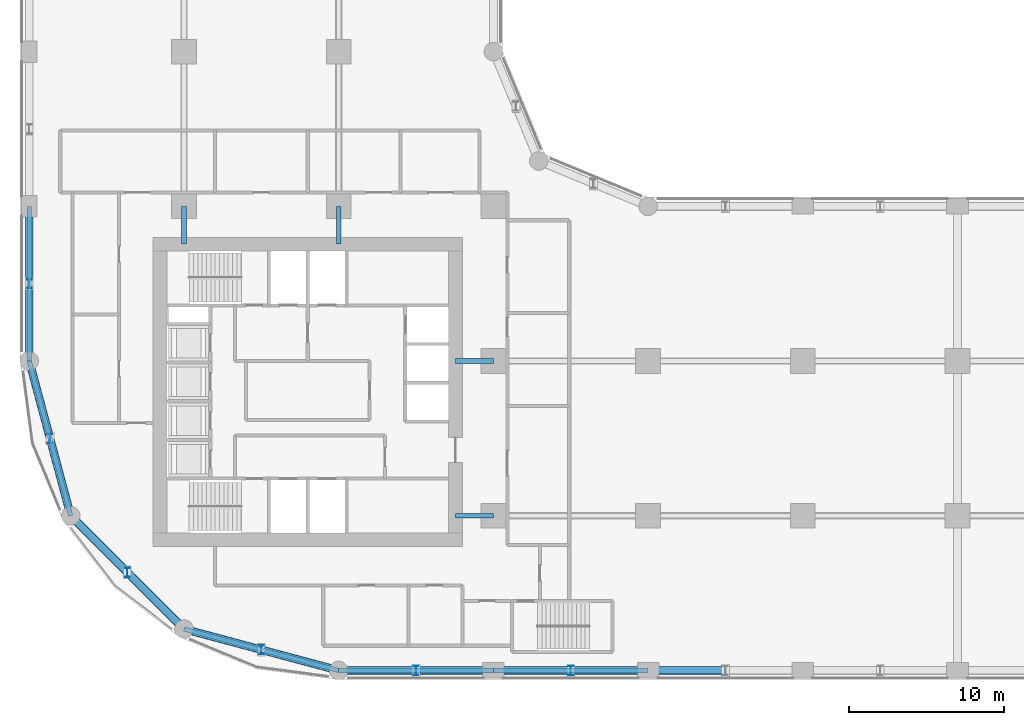
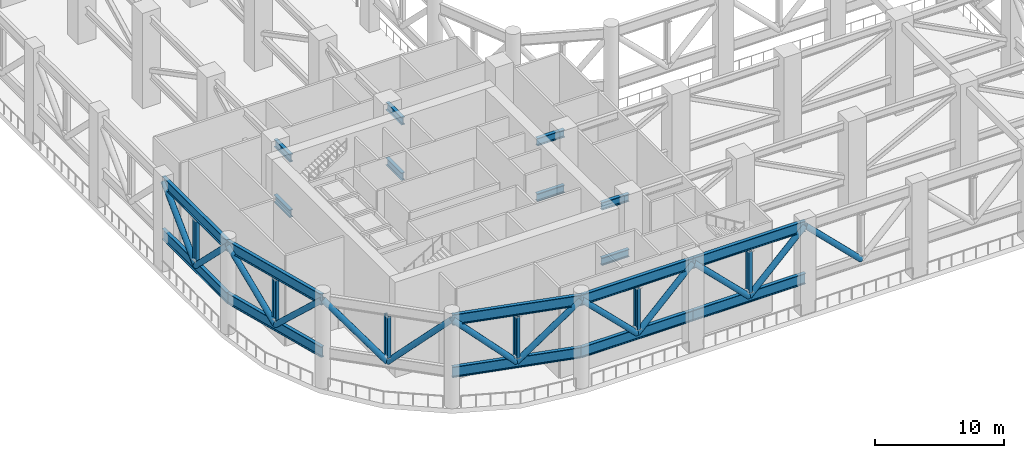
# One storey, part 2 of 14: 37 members.
"""IFC4 building model written with IfcOpenShell, lengths in metres."""

from ifc_helpers import new_model, si_unit, direction, frame, origin, origin_2d, place, context, subcontext, project, spatial, hollow_circle, i_section, extrude, material, material_profile, profile_set, type_object, element, save


model = new_model("IFC4")

# Units and contexts
model_context = context("Model", 3, precision=1e-05, world=origin(), true_north=direction((0.0, 1.0)))
body_context = subcontext(model_context, "Body", "Model", "MODEL_VIEW")
ifc_project = project(units=[si_unit("LENGTHUNIT", "METRE"), si_unit("AREAUNIT", "SQUARE_METRE"), si_unit("VOLUMEUNIT", "CUBIC_METRE"), si_unit("PLANEANGLEUNIT", "RADIAN"), si_unit("MASSUNIT", "GRAM", prefix="KILO")], contexts=[model_context])

# Site, building, storey
site_placement = place(None, origin())
site = spatial("IfcSite", under=ifc_project, at=site_placement, CompositionType="ELEMENT")
building_placement = place(site_placement, origin())
building = spatial("IfcBuilding", under=site, at=building_placement, Name="Qaws Garden Tower", CompositionType="ELEMENT")
storey_placement = place(building_placement, frame((0.0, 0.0, 117.300048828125)))
storey = spatial("IfcBuildingStorey", under=building, at=storey_placement, Name="L29", CompositionType="ELEMENT", Elevation=117.300048828125)

# Members
ifc_material_1 = material(Name="Steel S355", Category="steel")
ifc_material_profile_1 = material_profile(ifc_material_1, i_section(OverallWidth=0.302001953125, OverallDepth=1.008056640625, WebThickness=0.02099609375, FlangeThickness=0.0400390625, FilletRadius=0.030029296875, at=origin_2d()), Name="HEM 1000")
ifc_profile_set_1 = profile_set([ifc_material_profile_1], Name="Steel S355")
member_type_1 = type_object("IfcMemberType", Name="Belt chord HEM 1000", PredefinedType="CHORD", material=ifc_profile_set_1)
for number, where, z_axis, x_axis, name in (
    (1, (20.0, 0.0, 8.0458984375), (1.0, 0.0, 0.0), (0.0, 1.0, 0.0), "Belt truss top chord 1"),
    (2, (20.0, 0.0, 3.10400390625), (1.0, 0.0, 0.0), (0.0, 1.0, 0.0), "Belt truss bottom chord 1"),
    (3, (30.0, 0.0, 8.0458984375), (1.0, 0.0, 0.0), (0.0, 1.0, 0.0), "Belt truss top chord 2"),
    (4, (30.0, 0.0, 3.10400390625), (1.0, 0.0, 0.0), (0.0, 1.0, 0.0), "Belt truss bottom chord 2"),
    (5, (0.0, 30.0, 8.0458984375), (0.0, -1.0, 0.0), (1.0, 0.0, 0.0), "Belt truss top chord 23"),
    (6, (0.0, 30.0, 3.10400390625), (0.0, -1.0, 0.0), (1.0, 0.0, 0.0), "Belt truss bottom chord 23"),
):
    element("IfcMember", number, at=place(storey_placement, frame(where, z_axis=z_axis, x_axis=x_axis)), inside=storey, type_object=member_type_1, Name=name, PredefinedType="CHORD", context=body_context, shape_type="SweptSolid", body=[
        extrude(i_section(OverallWidth=0.302001953125, OverallDepth=1.008056640625, WebThickness=0.02099609375, FlangeThickness=0.0400390625, FilletRadius=0.030029296875, at=origin_2d()), origin(), (0.0, 0.0, 1.0), 10.0),
    ])
for number, where, z_axis, x_axis, name in (
    (7, (0.0, 20.0, 8.0458984375), (0.25881466832, -0.965926999034, 0.0), (0.965926999034, 0.25881466832, 0.0), "Belt truss top chord 24"),
    (8, (0.0, 20.0, 3.10400390625), (0.25881466832, -0.965926999034, 0.0), (0.965926999034, 0.25881466832, 0.0), "Belt truss bottom chord 24"),
    (9, (10.0, 2.679443359375, 8.0458984375), (0.965926999034, -0.25881466832, 0.0), (0.25881466832, 0.965926999034, 0.0), "Belt truss top chord 26"),
    (10, (10.0, 2.679443359375, 3.10400390625), (0.965926999034, -0.25881466832, 0.0), (0.25881466832, 0.965926999034, 0.0), "Belt truss bottom chord 26"),
):
    element("IfcMember", number, at=place(storey_placement, frame(where, z_axis=z_axis, x_axis=x_axis)), inside=storey, type_object=member_type_1, Name=name, PredefinedType="CHORD", context=body_context, shape_type="SweptSolid", body=[
        extrude(i_section(OverallWidth=0.302001953125, OverallDepth=1.008056640625, WebThickness=0.02099609375, FlangeThickness=0.0400390625, FilletRadius=0.030029296875, at=origin_2d()), origin(), (0.0, 0.0, 1.0), 10.352783203125),
    ])
ifc_material_2 = material(Name="Steel S355", Category="steel")
ifc_material_profile_2 = material_profile(ifc_material_2, hollow_circle(Radius=0.25390625, WallThickness=0.02490234375, at=origin_2d()), Name="CHS 508x25")
ifc_profile_set_2 = profile_set([ifc_material_profile_2], Name="Steel S355")
member_type_2 = type_object("IfcMemberType", Name="Belt diagonal CHS 508x25", PredefinedType="BRACE", material=ifc_profile_set_2)
for number, where, z_axis, x_axis, name in (
    (11, (20.0, 0.0, 8.0458984375), (0.711227324435, 0.0, -0.702962085021), (0.0, 1.0, 0.0), "Belt truss diagonal 1a"),
    (12, (25.0, 0.0, 3.10400390625), (0.711227324435, 0.0, 0.702962085021), (0.0, 1.0, 0.0), "Belt truss diagonal 1b"),
    (13, (30.0, 0.0, 8.0458984375), (0.711227324435, 0.0, -0.702962085021), (0.0, 1.0, 0.0), "Belt truss diagonal 2a"),
    (14, (35.0, 0.0, 3.10400390625), (0.711227324435, 0.0, 0.702962085021), (0.0, 1.0, 0.0), "Belt truss diagonal 2b"),
    (15, (40.0, 0.0, 8.0458984375), (0.711227324435, 0.0, -0.702962085021), (0.0, 1.0, 0.0), "Belt truss diagonal 3a"),
    (16, (0.0, 30.0, 8.0458984375), (0.0, -0.711227324435, -0.702962085021), (1.0, 0.0, 0.0), "Belt truss diagonal 23a"),
    (17, (0.0, 25.0, 3.10400390625), (0.0, -0.711227324435, 0.702962085021), (1.0, 0.0, 0.0), "Belt truss diagonal 23b"),
):
    element("IfcMember", number, at=place(storey_placement, frame(where, z_axis=z_axis, x_axis=x_axis)), inside=storey, type_object=member_type_2, Name=name, PredefinedType="BRACE", context=body_context, shape_type="SweptSolid", body=[
        extrude(hollow_circle(Radius=0.25390625, WallThickness=0.02490234375, at=origin_2d()), origin(), (0.0, 0.0, 1.0), 7.030029296875),
    ])
member_1_placement = place(storey_placement, frame((0.0, 20.0, 8.0458984375), z_axis=(0.187183940523, -0.698656297049, -0.690537146722), x_axis=(0.965932894277, 0.258792665571, 0.0)))
element("IfcMember", 18, at=member_1_placement, inside=storey, type_object=member_type_2, Name="Belt truss diagonal 24a", PredefinedType="BRACE", context=body_context, shape_type="SweptSolid", body=[
    extrude(hollow_circle(Radius=0.25390625, WallThickness=0.02490234375, at=origin_2d()), origin(), (0.0, 0.0, 1.0), 7.156494140625),
])
for number, where, z_axis, x_axis, name in (
    (19, (1.339599609375, 15.0, 3.10400390625), (0.187216859001, -0.698651835341, 0.690532736864), (0.965921103361, 0.258836670666, 0.0), "Belt truss diagonal 24b"),
    (20, (2.679443359375, 10.0, 8.0458984375), (0.511468623245, -0.511434509417, -0.690532106432), (0.707083198776, 0.70713036281, 0.0), "Belt truss diagonal 25a"),
    (21, (6.33984375, 6.33984375, 3.10400390625), (0.511434509417, -0.511468623245, 0.690532106432), (0.70713036281, 0.707083198776, 0.0), "Belt truss diagonal 25b"),
    (22, (10.0, 2.679443359375, 8.0458984375), (0.698651835341, -0.187216859001, -0.690532736864), (0.258836670666, 0.965921103361, 0.0), "Belt truss diagonal 26a"),
):
    element("IfcMember", number, at=place(storey_placement, frame(where, z_axis=z_axis, x_axis=x_axis)), inside=storey, type_object=member_type_2, Name=name, PredefinedType="BRACE", context=body_context, shape_type="SweptSolid", body=[
        extrude(hollow_circle(Radius=0.25390625, WallThickness=0.02490234375, at=origin_2d()), origin(), (0.0, 0.0, 1.0), 7.15673828125),
    ])
member_2_placement = place(storey_placement, frame((15.0, 1.339599609375, 3.10400390625), z_axis=(0.698656297049, -0.187183940523, 0.690537146722), x_axis=(0.258792665571, 0.965932894277, 0.0)))
element("IfcMember", 23, at=member_2_placement, inside=storey, type_object=member_type_2, Name="Belt truss diagonal 26b", PredefinedType="BRACE", context=body_context, shape_type="SweptSolid", body=[
    extrude(hollow_circle(Radius=0.25390625, WallThickness=0.02490234375, at=origin_2d()), origin(), (0.0, 0.0, 1.0), 7.156494140625),
])
ifc_material_3 = material(Name="Steel S355", Category="steel")
ifc_material_profile_3 = material_profile(ifc_material_3, i_section(OverallWidth=0.300048828125, OverallDepth=0.60009765625, WebThickness=0.015380859375, FlangeThickness=0.030029296875, FilletRadius=0.027099609375, at=origin_2d()), Name="HEB 600")
ifc_profile_set_3 = profile_set([ifc_material_profile_3], Name="Steel S355")
member_type_3 = type_object("IfcMemberType", Name="Belt post HEB 600", PredefinedType="POST", material=ifc_profile_set_3)
member_3_placement = place(storey_placement, frame((25.0, 0.0, 3.60791015625), z_axis=(0.0, 0.0, 1.0), x_axis=(1.0, 0.0, 0.0)))
element("IfcMember", 24, at=member_3_placement, inside=storey, type_object=member_type_3, Name="Belt truss post 1", PredefinedType="POST", context=body_context, shape_type="SweptSolid", body=[
    extrude(i_section(OverallWidth=0.300048828125, OverallDepth=0.60009765625, WebThickness=0.015380859375, FlangeThickness=0.030029296875, FilletRadius=0.027099609375, at=origin_2d()), origin(), (0.0, 0.0, 1.0), 3.93408203125),
])
member_4_placement = place(storey_placement, frame((35.0, 0.0, 3.60791015625), z_axis=(0.0, 0.0, 1.0), x_axis=(1.0, 0.0, 0.0)))
element("IfcMember", 25, at=member_4_placement, inside=storey, type_object=member_type_3, Name="Belt truss post 2", PredefinedType="POST", context=body_context, shape_type="SweptSolid", body=[
    extrude(i_section(OverallWidth=0.300048828125, OverallDepth=0.60009765625, WebThickness=0.015380859375, FlangeThickness=0.030029296875, FilletRadius=0.027099609375, at=origin_2d()), origin(), (0.0, 0.0, 1.0), 3.93408203125),
])
member_5_placement = place(storey_placement, frame((0.0, 25.0, 3.60791015625), z_axis=(0.0, 0.0, 1.0), x_axis=(1.0, 0.0, 0.0)))
element("IfcMember", 26, at=member_5_placement, inside=storey, type_object=member_type_3, Name="Belt truss post 23", PredefinedType="POST", context=body_context, shape_type="SweptSolid", body=[
    extrude(i_section(OverallWidth=0.300048828125, OverallDepth=0.60009765625, WebThickness=0.015380859375, FlangeThickness=0.030029296875, FilletRadius=0.027099609375, at=origin_2d()), origin(), (0.0, 0.0, 1.0), 3.93408203125),
])
member_6_placement = place(storey_placement, frame((1.339599609375, 15.0, 3.60791015625), z_axis=(0.0, 0.0, 1.0), x_axis=(1.0, 0.0, 0.0)))
element("IfcMember", 27, at=member_6_placement, inside=storey, type_object=member_type_3, Name="Belt truss post 24", PredefinedType="POST", context=body_context, shape_type="SweptSolid", body=[
    extrude(i_section(OverallWidth=0.300048828125, OverallDepth=0.60009765625, WebThickness=0.015380859375, FlangeThickness=0.030029296875, FilletRadius=0.027099609375, at=origin_2d()), origin(), (0.0, 0.0, 1.0), 3.93408203125),
])
member_7_placement = place(storey_placement, frame((6.33984375, 6.33984375, 3.60791015625), z_axis=(0.0, 0.0, 1.0), x_axis=(1.0, 0.0, 0.0)))
element("IfcMember", 28, at=member_7_placement, inside=storey, type_object=member_type_3, Name="Belt truss post 25", PredefinedType="POST", context=body_context, shape_type="SweptSolid", body=[
    extrude(i_section(OverallWidth=0.300048828125, OverallDepth=0.60009765625, WebThickness=0.015380859375, FlangeThickness=0.030029296875, FilletRadius=0.027099609375, at=origin_2d()), origin(), (0.0, 0.0, 1.0), 3.93408203125),
])
member_8_placement = place(storey_placement, frame((15.0, 1.339599609375, 3.60791015625), z_axis=(0.0, 0.0, 1.0), x_axis=(1.0, 0.0, 0.0)))
element("IfcMember", 29, at=member_8_placement, inside=storey, type_object=member_type_3, Name="Belt truss post 26", PredefinedType="POST", context=body_context, shape_type="SweptSolid", body=[
    extrude(i_section(OverallWidth=0.300048828125, OverallDepth=0.60009765625, WebThickness=0.015380859375, FlangeThickness=0.030029296875, FilletRadius=0.027099609375, at=origin_2d()), origin(), (0.0, 0.0, 1.0), 3.93408203125),
])
ifc_material_4 = material(Name="Steel S355", Category="steel")
ifc_material_profile_4 = material_profile(ifc_material_4, i_section(OverallWidth=0.303955078125, OverallDepth=0.716064453125, WebThickness=0.02099609375, FlangeThickness=0.0400390625, FilletRadius=0.027099609375, at=origin_2d()), Name="HEM 700")
ifc_profile_set_4 = profile_set([ifc_material_profile_4], Name="Steel S355")
member_type_4 = type_object("IfcMemberType", Name="Outrigger chord HEM 700", PredefinedType="CHORD", material=ifc_profile_set_4)
for number, where, z_axis, x_axis, name in (
    (30, (27.550048828125, 10.0, 8.19189453125), (1.0, 0.0, 0.0), (0.0, 1.0, 0.0), "Outrigger 1 top chord 1"),
    (31, (27.550048828125, 10.0, 2.9580078125), (1.0, 0.0, 0.0), (0.0, 1.0, 0.0), "Outrigger 1 bottom chord 1"),
    (32, (27.550048828125, 20.0, 8.19189453125), (1.0, 0.0, 0.0), (0.0, 1.0, 0.0), "Outrigger 2 top chord 1"),
    (33, (27.550048828125, 20.0, 2.9580078125), (1.0, 0.0, 0.0), (0.0, 1.0, 0.0), "Outrigger 2 bottom chord 1"),
    (34, (10.0, 27.550048828125, 8.19189453125), (0.0, 1.0, 0.0), (-1.0, 0.0, 0.0), "Outrigger 3 top chord 1"),
    (35, (10.0, 27.550048828125, 2.9580078125), (0.0, 1.0, 0.0), (-1.0, 0.0, 0.0), "Outrigger 3 bottom chord 1"),
    (36, (20.0, 27.550048828125, 8.19189453125), (0.0, 1.0, 0.0), (-1.0, 0.0, 0.0), "Outrigger 4 top chord 1"),
    (37, (20.0, 27.550048828125, 2.9580078125), (0.0, 1.0, 0.0), (-1.0, 0.0, 0.0), "Outrigger 4 bottom chord 1"),
):
    element("IfcMember", number, at=place(storey_placement, frame(where, z_axis=z_axis, x_axis=x_axis)), inside=storey, type_object=member_type_4, Name=name, PredefinedType="CHORD", context=body_context, shape_type="SweptSolid", body=[
        extrude(i_section(OverallWidth=0.303955078125, OverallDepth=0.716064453125, WebThickness=0.02099609375, FlangeThickness=0.0400390625, FilletRadius=0.027099609375, at=origin_2d()), origin(), (0.0, 0.0, 1.0), 2.449951171875),
    ])

save(model, "model.ifc")
